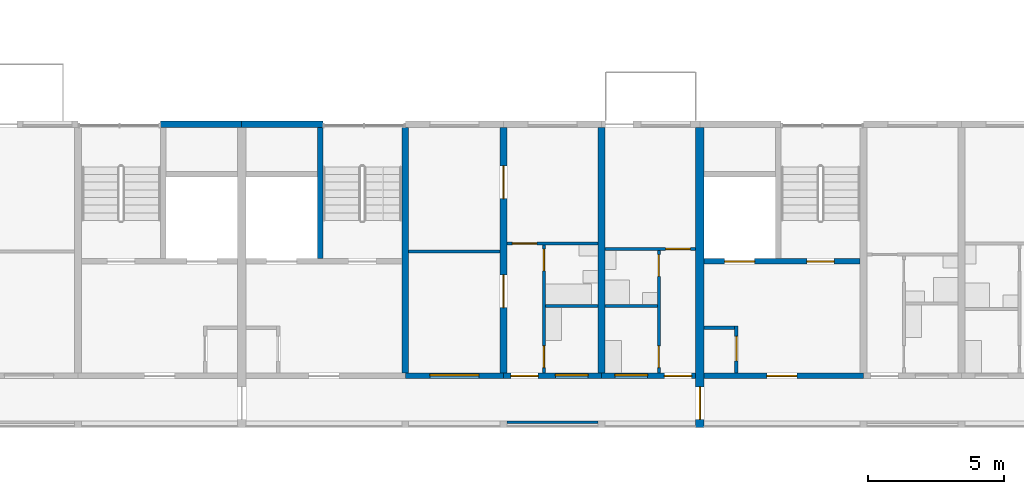
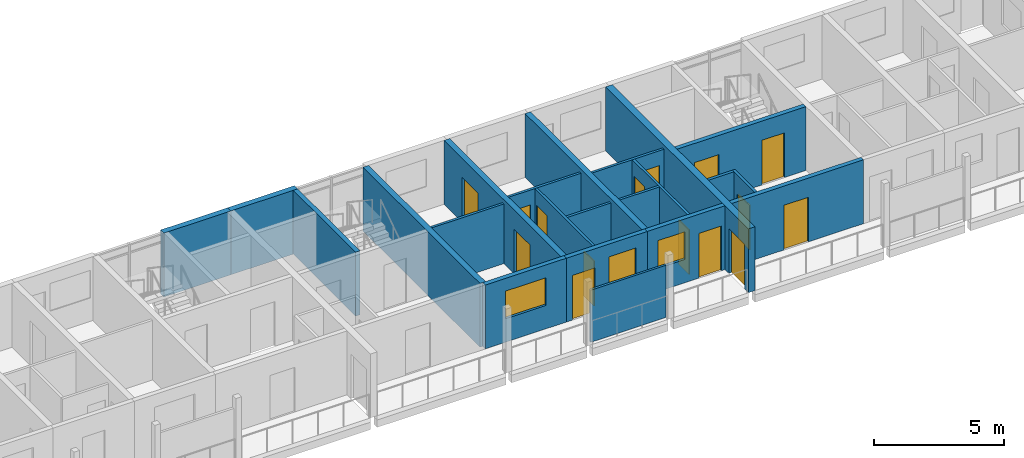
# One storey, part 55 of 100: 22 walls, 15 doors, 3 windows, 18 openings.
"""IFC4 building model written with IfcOpenShell, lengths in metres."""

from ifc_helpers import new_model, si_unit, direction, frame, frame_2d, origin, place, context, subcontext, project, spatial, rectangle, extrude, material, layer, layer_set, type_object, element, fill, save


model = new_model("IFC4")

# Units and contexts
model_context = context("Model", 3, precision=1e-05, world=origin(), true_north=direction((0.0, 1.0)))
body_context = subcontext(model_context, "Body", "Model", "MODEL_VIEW")
ifc_project = project(units=[si_unit("LENGTHUNIT", "METRE"), si_unit("AREAUNIT", "SQUARE_METRE"), si_unit("VOLUMEUNIT", "CUBIC_METRE"), si_unit("PLANEANGLEUNIT", "RADIAN"), si_unit("MASSUNIT", "GRAM", prefix="KILO")], contexts=[model_context])

# Site, building, storey
site_placement = place(None, origin())
site = spatial("IfcSite", under=ifc_project, at=site_placement, CompositionType="ELEMENT")
building_placement = place(site_placement, origin())
building = spatial("IfcBuilding", under=site, at=building_placement, Name="Ridgestep Commons", CompositionType="ELEMENT")
storey_placement = place(building_placement, frame((0.0, 0.0, 9.0)))
storey = spatial("IfcBuildingStorey", under=building, at=storey_placement, Name="L03", CompositionType="ELEMENT", Elevation=9.0)

# Wall
ifc_material_1 = material(Name="Concrete C30/37", Category="concrete")
ifc_layer_1 = layer(ifc_material_1, 0.25)
ifc_layer_set_1 = layer_set([ifc_layer_1], Name="Core cross wall 250")
wall_type_1 = type_object("IfcWallType", Name="Core cross wall 250", PredefinedType="SHEAR", material=ifc_layer_set_1)
wall_1_placement = place(storey_placement, frame((220.0, 13.75, 0.0), z_axis=(0.0, 0.0, 1.0), x_axis=(0.0, 1.0, 0.0)))
element("IfcWall", 1, at=wall_1_placement, inside=storey, type_object=wall_type_1, Name="Cross wall D-03-2200", PredefinedType="SHEAR", context=body_context, shape_type="SweptSolid", body=[
    extrude(rectangle(XDim=9.0, YDim=0.25, at=frame_2d((4.5, 0.0))), origin(), (0.0, 0.0, 1.0), 3.0),
])

# Wall, opening, door
ifc_material_2 = material(Name="Concrete C30/37", Category="concrete")
ifc_layer_2 = layer(ifc_material_2, 0.199951171875)
ifc_layer_set_2 = layer_set([ifc_layer_2], Name="Core south wall 200")
wall_type_2 = type_object("IfcWallType", Name="Core south wall 200", PredefinedType="SHEAR", material=ifc_layer_set_2)
wall_2_placement = place(storey_placement, frame((230.949951171875, 13.64990234375, 0.0), z_axis=(0.0, 0.0, 1.0), x_axis=(1.0, 0.0, 0.0)))
wall_2 = element("IfcWall", 2, at=wall_2_placement, inside=storey, type_object=wall_type_2, Name="Core south wall D6C L03", PredefinedType="SHEAR", context=body_context, shape_type="SweptSolid", body=[
    extrude(rectangle(XDim=5.85009765625, YDim=0.199951171875, at=frame_2d((2.925048828125, 0.0))), origin(), (0.0, 0.0, 1.0), 3.0),
])
opening_1_placement = place(wall_2_placement, frame((2.3125, 0.0, 0.0)))
opening_1 = element("IfcOpeningElement", 3, at=opening_1_placement, cuts=wall_2, Name="Opening D6C/03/1", PredefinedType="OPENING", context=body_context, shape_type="SweptSolid", body=[
    extrude(rectangle(XDim=1.10009765625, YDim=2.10009765625, at=frame_2d((0.550048828125, 1.050048828125))), frame((0.0, 0.10986328125, 0.0), z_axis=(0.0, -1.0, 0.0), x_axis=(1.0, 0.0, 0.0)), (0.0, 0.0, 1.0), 0.219970703125),
])
ifc_material_3 = material(Name="Steel fire door", Category="steel")
door_type_1 = type_object("IfcDoorType", Name="Lobby door 1100 x 2100 FD60", OperationType="NOTDEFINED", PredefinedType="DOOR", material=ifc_material_3)
door_1_placement = place(opening_1_placement, origin())
door_1 = element("IfcDoor", 4, at=door_1_placement, inside=storey, type_object=door_type_1, Name="Lobby door D6C/03/1", OperationType="SINGLE_SWING_LEFT", OverallHeight=2.10009765625, OverallWidth=1.10009765625, PredefinedType="DOOR", context=body_context, shape_type="SweptSolid", body=[
    extrude(rectangle(XDim=1.10009765625, YDim=2.10009765625, at=frame_2d((0.550048828125, 1.050048828125))), frame((0.0, 0.02490234375, 0.0), z_axis=(0.0, -1.0, 0.0), x_axis=(1.0, 0.0, 0.0)), (0.0, 0.0, 1.0), 0.050048828125),
])
fill(opening_1, door_1)

ifc_material_4 = material(Name="Concrete C30/37", Category="concrete")
ifc_layer_3 = layer(ifc_material_4, 0.1201171875)
ifc_layer_set_3 = layer_set([ifc_layer_3], Name="Core wall 120")
wall_type_3 = type_object("IfcWallType", Name="Core wall 120", PredefinedType="SHEAR", material=ifc_layer_set_3)
wall_3_placement = place(storey_placement, frame((232.139892578125, 13.75, 0.0), z_axis=(0.0, 0.0, 1.0), x_axis=(0.0, 1.0, 0.0)))
wall_3 = element("IfcWall", 5, at=wall_3_placement, inside=storey, type_object=wall_type_3, Name="Core riser w wall D6C L03", PredefinedType="SHEAR", context=body_context, shape_type="SweptSolid", body=[
    extrude(rectangle(XDim=1.719970703125, YDim=0.1201171875, at=frame_2d((0.85986328125, 0.0))), origin(), (0.0, 0.0, 1.0), 3.0),
])
opening_2_placement = place(wall_3_placement, frame((0.449951171875, 0.0, 0.0)))
opening_2 = element("IfcOpeningElement", 6, at=opening_2_placement, cuts=wall_3, Name="Opening D6C/03/4", PredefinedType="OPENING", context=body_context, shape_type="SweptSolid", body=[
    extrude(rectangle(XDim=0.89990234375, YDim=2.10009765625, at=frame_2d((0.449951171875, 1.050048828125))), frame((0.0, 0.070068359375, 0.0), z_axis=(0.0, -1.0, 0.0), x_axis=(1.0, 0.0, 0.0)), (0.0, 0.0, 1.0), 0.14013671875),
])
ifc_material_5 = material(Name="Steel fire door", Category="steel")
door_type_2 = type_object("IfcDoorType", Name="Riser door 900 x 2100 FD60", OperationType="NOTDEFINED", PredefinedType="DOOR", material=ifc_material_5)
door_2_placement = place(opening_2_placement, origin())
door_2 = element("IfcDoor", 7, at=door_2_placement, inside=storey, type_object=door_type_2, Name="Riser door D6C/03/4", OperationType="SINGLE_SWING_RIGHT", OverallHeight=2.10009765625, OverallWidth=0.89990234375, PredefinedType="DOOR", context=body_context, shape_type="SweptSolid", body=[
    extrude(rectangle(XDim=0.89990234375, YDim=2.10009765625, at=frame_2d((0.449951171875, 1.050048828125))), frame((0.0, 0.02490234375, 0.0), z_axis=(0.0, -1.0, 0.0), x_axis=(1.0, 0.0, 0.0)), (0.0, 0.0, 1.0), 0.050048828125),
])
fill(opening_2, door_2)

# Walls
wall_4_placement = place(storey_placement, frame((230.949951171875, 15.409912109375, 0.0), z_axis=(0.0, 0.0, 1.0), x_axis=(1.0, 0.0, 0.0)))
element("IfcWall", 8, at=wall_4_placement, inside=storey, type_object=wall_type_3, Name="Core riser n wall D6C L03", PredefinedType="SHEAR", context=body_context, shape_type="SweptSolid", body=[
    extrude(rectangle(XDim=1.130126953125, YDim=0.1201171875, at=frame_2d((0.56494140625, 0.0))), origin(), (0.0, 0.0, 1.0), 3.0),
])
ifc_material_6 = material(Name="Concrete C30/37", Category="concrete")
ifc_layer_4 = layer(ifc_material_6, 0.199951171875)
ifc_layer_set_4 = layer_set([ifc_layer_4], Name="Core wall 200")
wall_type_4 = type_object("IfcWallType", Name="Core wall 200", PredefinedType="SHEAR", material=ifc_layer_set_4)
wall_5_placement = place(storey_placement, frame((216.875, 17.949951171875, 0.0), z_axis=(0.0, 0.0, 1.0), x_axis=(0.0, 1.0, 0.0)))
element("IfcWall", 9, at=wall_5_placement, inside=storey, type_object=wall_type_4, Name="Core stair wall D5C L03", PredefinedType="SHEAR", context=body_context, shape_type="SweptSolid", body=[
    extrude(rectangle(XDim=4.800048828125, YDim=0.199951171875, at=frame_2d((2.39990234375, 0.0))), origin(), (0.0, 0.0, 1.0), 3.0),
])

# Wall, openings, doors
wall_6_placement = place(storey_placement, frame((230.949951171875, 17.85009765625, 0.0), z_axis=(0.0, 0.0, 1.0), x_axis=(1.0, 0.0, 0.0)))
wall_6 = element("IfcWall", 10, at=wall_6_placement, inside=storey, type_object=wall_type_4, Name="Core lobby wall D6C L03", PredefinedType="SHEAR", context=body_context, shape_type="SweptSolid", body=[
    extrude(rectangle(XDim=5.72509765625, YDim=0.199951171875, at=frame_2d((2.862548828125, 0.0))), origin(), (0.0, 0.0, 1.0), 3.0),
])
opening_3_placement = place(wall_6_placement, frame((3.77490234375, 0.0, 0.0)))
opening_3 = element("IfcOpeningElement", 11, at=opening_3_placement, cuts=wall_6, Name="Opening D6C/03/2", PredefinedType="OPENING", context=body_context, shape_type="SweptSolid", body=[
    extrude(rectangle(XDim=1.0, YDim=2.10009765625, at=frame_2d((0.5, 1.050048828125))), frame((0.0, 0.10986328125, 0.0), z_axis=(0.0, -1.0, 0.0), x_axis=(1.0, 0.0, 0.0)), (0.0, 0.0, 1.0), 0.219970703125),
])
opening_4_placement = place(wall_6_placement, frame((0.762451171875, 0.0, 0.0)))
opening_4 = element("IfcOpeningElement", 12, at=opening_4_placement, cuts=wall_6, Name="Opening D6C/03/3", PredefinedType="OPENING", context=body_context, shape_type="SweptSolid", body=[
    extrude(rectangle(XDim=1.10009765625, YDim=2.10009765625, at=frame_2d((0.550048828125, 1.050048828125))), frame((0.0, 0.10986328125, 0.0), z_axis=(0.0, -1.0, 0.0), x_axis=(1.0, 0.0, 0.0)), (0.0, 0.0, 1.0), 0.219970703125),
])
ifc_material_7 = material(Name="Stainless steel", Category="steel")
door_type_3 = type_object("IfcDoorType", Name="Lift landing door 1100 x 2100 FD60", OperationType="DOUBLE_DOOR_SLIDING", PredefinedType="DOOR", material=ifc_material_7)
door_3_placement = place(opening_4_placement, origin())
door_3 = element("IfcDoor", 13, at=door_3_placement, inside=storey, type_object=door_type_3, Name="Landing door LD D6C L03", OperationType="DOUBLE_DOOR_SLIDING", OverallHeight=2.10009765625, OverallWidth=1.10009765625, PredefinedType="DOOR", context=body_context, shape_type="SweptSolid", body=[
    extrude(rectangle(XDim=1.10009765625, YDim=2.10009765625, at=frame_2d((0.550048828125, 1.050048828125))), frame((0.0, 0.02490234375, 0.0), z_axis=(0.0, -1.0, 0.0), x_axis=(1.0, 0.0, 0.0)), (0.0, 0.0, 1.0), 0.050048828125),
])
fill(opening_4, door_3)
ifc_material_8 = material(Name="Steel fire door", Category="steel")
door_type_4 = type_object("IfcDoorType", Name="Stair door 1000 x 2100 FD60", OperationType="NOTDEFINED", PredefinedType="DOOR", material=ifc_material_8)
door_4_placement = place(opening_3_placement, origin())
door_4 = element("IfcDoor", 14, at=door_4_placement, inside=storey, type_object=door_type_4, Name="Stair door D6C/03/2", OperationType="SINGLE_SWING_RIGHT", OverallHeight=2.10009765625, OverallWidth=1.0, PredefinedType="DOOR", context=body_context, shape_type="SweptSolid", body=[
    extrude(rectangle(XDim=1.0, YDim=2.10009765625, at=frame_2d((0.5, 1.050048828125))), frame((0.0, 0.02490234375, 0.0), z_axis=(0.0, -1.0, 0.0), x_axis=(1.0, 0.0, 0.0)), (0.0, 0.0, 1.0), 0.050048828125),
])
fill(opening_3, door_4)

ifc_material_9 = material(Name="Precast concrete C40/50", Category="concrete")
ifc_layer_5 = layer(ifc_material_9, 0.25)
ifc_layer_set_5 = layer_set([ifc_layer_5], Name="Cross wall 250")
wall_type_5 = type_object("IfcWallType", Name="Cross wall 250", PredefinedType="SHEAR", material=ifc_layer_set_5)
wall_7_placement = place(storey_placement, frame((223.60009765625, 13.75, 0.0), z_axis=(0.0, 0.0, 1.0), x_axis=(0.0, 1.0, 0.0)))
wall_7 = element("IfcWall", 15, at=wall_7_placement, inside=storey, type_object=wall_type_5, Name="Cross wall D-03-2236", PredefinedType="SHEAR", context=body_context, shape_type="SweptSolid", body=[
    extrude(rectangle(XDim=9.0, YDim=0.25, at=frame_2d((4.5, 0.0))), origin(), (0.0, 0.0, 1.0), 3.0),
])
opening_5_placement = place(wall_7_placement, frame((2.39990234375, 0.0, 0.0)))
opening_5 = element("IfcOpeningElement", 16, at=opening_5_placement, cuts=wall_7, Name="Opening D5-03b/5", PredefinedType="OPENING", context=body_context, shape_type="SweptSolid", body=[
    extrude(rectangle(XDim=1.199951171875, YDim=2.10009765625, at=frame_2d((0.60009765625, 1.050048828125))), frame((0.0, 0.135009765625, 0.0), z_axis=(0.0, -1.0, 0.0), x_axis=(1.0, 0.0, 0.0)), (0.0, 0.0, 1.0), 0.27001953125),
])
opening_6_placement = place(wall_7_placement, frame((6.39990234375, 0.0, 0.0)))
opening_6 = element("IfcOpeningElement", 17, at=opening_6_placement, cuts=wall_7, Name="Opening D5-03b/6", PredefinedType="OPENING", context=body_context, shape_type="SweptSolid", body=[
    extrude(rectangle(XDim=1.199951171875, YDim=2.10009765625, at=frame_2d((0.60009765625, 1.050048828125))), frame((0.0, 0.135009765625, 0.0), z_axis=(0.0, -1.0, 0.0), x_axis=(1.0, 0.0, 0.0)), (0.0, 0.0, 1.0), 0.27001953125),
])
ifc_material_10 = material(Name="Timber door leaf", Category="wood")
door_type_5 = type_object("IfcDoorType", Name="Double door 1200 x 2100", OperationType="DOUBLE_DOOR_SINGLE_SWING", PredefinedType="DOOR", material=ifc_material_10)
door_5_placement = place(opening_5_placement, origin())
door_5 = element("IfcDoor", 18, at=door_5_placement, inside=storey, type_object=door_type_5, Name="Double door D5-03b/5", OperationType="DOUBLE_DOOR_SINGLE_SWING", OverallHeight=2.10009765625, OverallWidth=1.199951171875, PredefinedType="DOOR", context=body_context, shape_type="SweptSolid", body=[
    extrude(rectangle(XDim=1.199951171875, YDim=2.10009765625, at=frame_2d((0.60009765625, 1.050048828125))), frame((0.0, 0.02490234375, 0.0), z_axis=(0.0, -1.0, 0.0), x_axis=(1.0, 0.0, 0.0)), (0.0, 0.0, 1.0), 0.050048828125),
])
fill(opening_5, door_5)
door_6_placement = place(opening_6_placement, origin())
door_6 = element("IfcDoor", 19, at=door_6_placement, inside=storey, type_object=door_type_5, Name="Double door D5-03b/6", OperationType="DOUBLE_DOOR_SINGLE_SWING", OverallHeight=2.10009765625, OverallWidth=1.199951171875, PredefinedType="DOOR", context=body_context, shape_type="SweptSolid", body=[
    extrude(rectangle(XDim=1.199951171875, YDim=2.10009765625, at=frame_2d((0.60009765625, 1.050048828125))), frame((0.0, 0.02490234375, 0.0), z_axis=(0.0, -1.0, 0.0), x_axis=(1.0, 0.0, 0.0)), (0.0, 0.0, 1.0), 0.050048828125),
])
fill(opening_6, door_6)

# Wall
wall_8_placement = place(storey_placement, frame((227.199951171875, 13.75, 0.0), z_axis=(0.0, 0.0, 1.0), x_axis=(0.0, 1.0, 0.0)))
element("IfcWall", 20, at=wall_8_placement, inside=storey, type_object=wall_type_5, Name="Cross wall D-03-2272", PredefinedType="SHEAR", context=body_context, shape_type="SweptSolid", body=[
    extrude(rectangle(XDim=9.0, YDim=0.25, at=frame_2d((4.5, 0.0))), origin(), (0.0, 0.0, 1.0), 3.0),
])

# Wall, opening, door
ifc_material_11 = material(Name="Precast concrete C40/50", Category="concrete")
ifc_layer_6 = layer(ifc_material_11, 0.300048828125)
ifc_layer_set_6 = layer_set([ifc_layer_6], Name="Division wall 300")
wall_type_6 = type_object("IfcWallType", Name="Division wall 300", PredefinedType="SHEAR", material=ifc_layer_set_6)
wall_9_placement = place(storey_placement, frame((230.800048828125, 11.75, 0.0), z_axis=(0.0, 0.0, 1.0), x_axis=(0.0, 1.0, 0.0)))
wall_9 = element("IfcWall", 21, at=wall_9_placement, inside=storey, type_object=wall_type_6, Name="Cross wall D-03-2308", PredefinedType="SHEAR", context=body_context, shape_type="SweptSolid", body=[
    extrude(rectangle(XDim=11.0, YDim=0.300048828125, at=frame_2d((5.5, 0.0))), origin(), (0.0, 0.0, 1.0), 3.0),
])
opening_7_placement = place(wall_9_placement, frame((0.300048828125, 0.0, 0.0)))
opening_7 = element("IfcOpeningElement", 22, at=opening_7_placement, cuts=wall_9, Name="Opening D/03/G2308", PredefinedType="OPENING", context=body_context, shape_type="SweptSolid", body=[
    extrude(rectangle(XDim=1.199951171875, YDim=2.10009765625, at=frame_2d((0.60009765625, 1.050048828125))), frame((0.0, 0.159912109375, 0.0), z_axis=(0.0, -1.0, 0.0), x_axis=(1.0, 0.0, 0.0)), (0.0, 0.0, 1.0), 0.320068359375),
])
ifc_material_12 = material(Name="Steel fire door", Category="steel")
door_type_6 = type_object("IfcDoorType", Name="Division fire door 1200 x 2100 EI 240", OperationType="DOUBLE_DOOR_SINGLE_SWING", PredefinedType="DOOR", material=ifc_material_12)
door_7_placement = place(opening_7_placement, origin())
door_7 = element("IfcDoor", 23, at=door_7_placement, inside=storey, type_object=door_type_6, Name="Division fire door D/03/G2308", OperationType="DOUBLE_DOOR_SINGLE_SWING", OverallHeight=2.10009765625, OverallWidth=1.199951171875, PredefinedType="DOOR", context=body_context, shape_type="SweptSolid", body=[
    extrude(rectangle(XDim=1.199951171875, YDim=2.10009765625, at=frame_2d((0.60009765625, 1.050048828125))), frame((0.0, 0.02490234375, 0.0), z_axis=(0.0, -1.0, 0.0), x_axis=(1.0, 0.0, 0.0)), (0.0, 0.0, 1.0), 0.050048828125),
])
fill(opening_7, door_7)

# Walls
ifc_material_13 = material(Name="Precast concrete C40/50", Category="concrete")
ifc_layer_7 = layer(ifc_material_13, 0.25)
ifc_layer_set_7 = layer_set([ifc_layer_7], Name="North facade panel 250")
wall_type_7 = type_object("IfcWallType", Name="North facade panel 250", PredefinedType="SOLIDWALL", material=ifc_layer_set_7)
for number, where, z_axis, x_axis, name in (
    (24, (211.02490234375, 22.875, 0.0), (0.0, 0.0, 1.0), (1.0, 0.0, 0.0), "North panel D4C L03"),
    (25, (214.0, 22.875, 0.0), (0.0, 0.0, 1.0), (1.0, 0.0, 0.0), "North panel D5C L03"),
):
    element("IfcWall", number, at=place(storey_placement, frame(where, z_axis=z_axis, x_axis=x_axis)), inside=storey, type_object=wall_type_7, Name=name, PredefinedType="SOLIDWALL", context=body_context, shape_type="SweptSolid", body=[
        extrude(rectangle(XDim=2.97509765625, YDim=0.25, at=frame_2d((1.487548828125, 0.0))), origin(), (0.0, 0.0, 1.0), 3.0),
    ])
ifc_material_14 = material(Name="Common brick 110 mm", Category="masonry")
ifc_layer_8 = layer(ifc_material_14, 0.110107421875)
ifc_layer_set_8 = layer_set([ifc_layer_8], Name="Partition 110")
wall_type_8 = type_object("IfcWallType", Name="Partition 110", PredefinedType="PARTITIONING", material=ifc_layer_set_8)
wall_10_placement = place(storey_placement, frame((227.324951171875, 16.205078125, 0.0), z_axis=(0.0, 0.0, 1.0), x_axis=(1.0, 0.0, 0.0)))
element("IfcWall", 26, at=wall_10_placement, inside=storey, type_object=wall_type_8, Name="Partition D5-03a", PredefinedType="PARTITIONING", context=body_context, shape_type="SweptSolid", body=[
    extrude(rectangle(XDim=1.9150390625, YDim=0.110107421875, at=frame_2d((0.95751953125, 0.0))), origin(), (0.0, 0.0, 1.0), 2.800048828125),
])

# Wall, openings, doors
wall_11_placement = place(storey_placement, frame((229.294921875, 13.75, 0.0), z_axis=(0.0, 0.0, 1.0), x_axis=(0.0, 1.0, 0.0)))
wall_11 = element("IfcWall", 27, at=wall_11_placement, inside=storey, type_object=wall_type_8, Name="Partition D5-03a", PredefinedType="PARTITIONING", context=body_context, shape_type="SweptSolid", body=[
    extrude(rectangle(XDim=4.5, YDim=0.110107421875, at=frame_2d((2.25, 0.0))), origin(), (0.0, 0.0, 1.0), 2.800048828125),
])
opening_8_placement = place(wall_11_placement, frame((0.199951171875, 0.0, 0.0)))
opening_8 = element("IfcOpeningElement", 28, at=opening_8_placement, cuts=wall_11, Name="Opening D5-03a/2", PredefinedType="OPENING", context=body_context, shape_type="SweptSolid", body=[
    extrude(rectangle(XDim=0.800048828125, YDim=2.10009765625, at=frame_2d((0.39990234375, 1.050048828125))), frame((0.0, 0.06494140625, 0.0), z_axis=(0.0, -1.0, 0.0), x_axis=(1.0, 0.0, 0.0)), (0.0, 0.0, 1.0), 0.130126953125),
])
opening_9_placement = place(wall_11_placement, frame((3.550048828125, 0.0, 0.0)))
opening_9 = element("IfcOpeningElement", 29, at=opening_9_placement, cuts=wall_11, Name="Opening D5-03a/3", PredefinedType="OPENING", context=body_context, shape_type="SweptSolid", body=[
    extrude(rectangle(XDim=0.800048828125, YDim=2.10009765625, at=frame_2d((0.39990234375, 1.050048828125))), frame((0.0, 0.06494140625, 0.0), z_axis=(0.0, -1.0, 0.0), x_axis=(1.0, 0.0, 0.0)), (0.0, 0.0, 1.0), 0.130126953125),
])
ifc_material_15 = material(Name="Timber door leaf", Category="wood")
door_type_7 = type_object("IfcDoorType", Name="Internal door 800 x 2100", OperationType="NOTDEFINED", PredefinedType="DOOR", material=ifc_material_15)
door_8_placement = place(opening_8_placement, origin())
door_8 = element("IfcDoor", 30, at=door_8_placement, inside=storey, type_object=door_type_7, Name="Internal door D5-03a/2", OperationType="SINGLE_SWING_LEFT", OverallHeight=2.10009765625, OverallWidth=0.800048828125, PredefinedType="DOOR", context=body_context, shape_type="SweptSolid", body=[
    extrude(rectangle(XDim=0.800048828125, YDim=2.10009765625, at=frame_2d((0.39990234375, 1.050048828125))), frame((0.0, 0.02490234375, 0.0), z_axis=(0.0, -1.0, 0.0), x_axis=(1.0, 0.0, 0.0)), (0.0, 0.0, 1.0), 0.050048828125),
])
fill(opening_8, door_8)
door_9_placement = place(opening_9_placement, origin())
door_9 = element("IfcDoor", 31, at=door_9_placement, inside=storey, type_object=door_type_7, Name="Internal door D5-03a/3", OperationType="SINGLE_SWING_RIGHT", OverallHeight=2.10009765625, OverallWidth=0.800048828125, PredefinedType="DOOR", context=body_context, shape_type="SweptSolid", body=[
    extrude(rectangle(XDim=0.800048828125, YDim=2.10009765625, at=frame_2d((0.39990234375, 1.050048828125))), frame((0.0, 0.02490234375, 0.0), z_axis=(0.0, -1.0, 0.0), x_axis=(1.0, 0.0, 0.0)), (0.0, 0.0, 1.0), 0.050048828125),
])
fill(opening_9, door_9)

# Wall, opening, door
wall_12_placement = place(storey_placement, frame((227.324951171875, 18.304931640625, 0.0), z_axis=(0.0, 0.0, 1.0), x_axis=(1.0, 0.0, 0.0)))
wall_12 = element("IfcWall", 32, at=wall_12_placement, inside=storey, type_object=wall_type_8, Name="Partition D5-03a", PredefinedType="PARTITIONING", context=body_context, shape_type="SweptSolid", body=[
    extrude(rectangle(XDim=3.324951171875, YDim=0.110107421875, at=frame_2d((1.66259765625, 0.0))), origin(), (0.0, 0.0, 1.0), 2.800048828125),
])
opening_10_placement = place(wall_12_placement, frame((2.22509765625, 0.0, 0.0)))
opening_10 = element("IfcOpeningElement", 33, at=opening_10_placement, cuts=wall_12, Name="Opening D5-03a/4", PredefinedType="OPENING", context=body_context, shape_type="SweptSolid", body=[
    extrude(rectangle(XDim=0.89990234375, YDim=2.10009765625, at=frame_2d((0.449951171875, 1.050048828125))), frame((0.0, 0.06494140625, 0.0), z_axis=(0.0, -1.0, 0.0), x_axis=(1.0, 0.0, 0.0)), (0.0, 0.0, 1.0), 0.130126953125),
])
ifc_material_16 = material(Name="Timber door leaf", Category="wood")
door_type_8 = type_object("IfcDoorType", Name="Internal door 900 x 2100", OperationType="NOTDEFINED", PredefinedType="DOOR", material=ifc_material_16)
door_10_placement = place(opening_10_placement, origin())
door_10 = element("IfcDoor", 34, at=door_10_placement, inside=storey, type_object=door_type_8, Name="Internal door D5-03a/4", OperationType="SINGLE_SWING_LEFT", OverallHeight=2.10009765625, OverallWidth=0.89990234375, PredefinedType="DOOR", context=body_context, shape_type="SweptSolid", body=[
    extrude(rectangle(XDim=0.89990234375, YDim=2.10009765625, at=frame_2d((0.449951171875, 1.050048828125))), frame((0.0, 0.02490234375, 0.0), z_axis=(0.0, -1.0, 0.0), x_axis=(1.0, 0.0, 0.0)), (0.0, 0.0, 1.0), 0.050048828125),
])
fill(opening_10, door_10)

# Wall, openings, doors
wall_13_placement = place(storey_placement, frame((225.080078125, 13.75, 0.0), z_axis=(0.0, 0.0, 1.0), x_axis=(0.0, 1.0, 0.0)))
wall_13 = element("IfcWall", 35, at=wall_13_placement, inside=storey, type_object=wall_type_8, Name="Partition D5-03b", PredefinedType="PARTITIONING", context=body_context, shape_type="SweptSolid", body=[
    extrude(rectangle(XDim=4.699951171875, YDim=0.110107421875, at=frame_2d((2.35009765625, 0.0))), origin(), (0.0, 0.0, 1.0), 2.800048828125),
])
opening_11_placement = place(wall_13_placement, frame((0.199951171875, 0.0, 0.0)))
opening_11 = element("IfcOpeningElement", 36, at=opening_11_placement, cuts=wall_13, Name="Opening D5-03b/2", PredefinedType="OPENING", context=body_context, shape_type="SweptSolid", body=[
    extrude(rectangle(XDim=0.800048828125, YDim=2.10009765625, at=frame_2d((0.39990234375, 1.050048828125))), frame((0.0, 0.06494140625, 0.0), z_axis=(0.0, -1.0, 0.0), x_axis=(1.0, 0.0, 0.0)), (0.0, 0.0, 1.0), 0.130126953125),
])
opening_12_placement = place(wall_13_placement, frame((3.75, 0.0, 0.0)))
opening_12 = element("IfcOpeningElement", 37, at=opening_12_placement, cuts=wall_13, Name="Opening D5-03b/3", PredefinedType="OPENING", context=body_context, shape_type="SweptSolid", body=[
    extrude(rectangle(XDim=0.800048828125, YDim=2.10009765625, at=frame_2d((0.39990234375, 1.050048828125))), frame((0.0, 0.06494140625, 0.0), z_axis=(0.0, -1.0, 0.0), x_axis=(1.0, 0.0, 0.0)), (0.0, 0.0, 1.0), 0.130126953125),
])
door_11_placement = place(opening_11_placement, origin())
door_11 = element("IfcDoor", 38, at=door_11_placement, inside=storey, type_object=door_type_7, Name="Internal door D5-03b/2", OperationType="SINGLE_SWING_RIGHT", OverallHeight=2.10009765625, OverallWidth=0.800048828125, PredefinedType="DOOR", context=body_context, shape_type="SweptSolid", body=[
    extrude(rectangle(XDim=0.800048828125, YDim=2.10009765625, at=frame_2d((0.39990234375, 1.050048828125))), frame((0.0, 0.02490234375, 0.0), z_axis=(0.0, -1.0, 0.0), x_axis=(1.0, 0.0, 0.0)), (0.0, 0.0, 1.0), 0.050048828125),
])
fill(opening_11, door_11)
door_12_placement = place(opening_12_placement, origin())
door_12 = element("IfcDoor", 39, at=door_12_placement, inside=storey, type_object=door_type_7, Name="Internal door D5-03b/3", OperationType="SINGLE_SWING_LEFT", OverallHeight=2.10009765625, OverallWidth=0.800048828125, PredefinedType="DOOR", context=body_context, shape_type="SweptSolid", body=[
    extrude(rectangle(XDim=0.800048828125, YDim=2.10009765625, at=frame_2d((0.39990234375, 1.050048828125))), frame((0.0, 0.02490234375, 0.0), z_axis=(0.0, -1.0, 0.0), x_axis=(1.0, 0.0, 0.0)), (0.0, 0.0, 1.0), 0.050048828125),
])
fill(opening_12, door_12)

# Wall
wall_14_placement = place(storey_placement, frame((225.135009765625, 16.205078125, 0.0), z_axis=(0.0, 0.0, 1.0), x_axis=(1.0, 0.0, 0.0)))
element("IfcWall", 40, at=wall_14_placement, inside=storey, type_object=wall_type_8, Name="Partition D5-03b", PredefinedType="PARTITIONING", context=body_context, shape_type="SweptSolid", body=[
    extrude(rectangle(XDim=1.93994140625, YDim=0.110107421875, at=frame_2d((0.969970703125, 0.0))), origin(), (0.0, 0.0, 1.0), 2.800048828125),
])

# Wall, opening, door
wall_15_placement = place(storey_placement, frame((223.72509765625, 18.5048828125, 0.0), z_axis=(0.0, 0.0, 1.0), x_axis=(1.0, 0.0, 0.0)))
wall_15 = element("IfcWall", 41, at=wall_15_placement, inside=storey, type_object=wall_type_8, Name="Partition D5-03b", PredefinedType="PARTITIONING", context=body_context, shape_type="SweptSolid", body=[
    extrude(rectangle(XDim=3.349853515625, YDim=0.110107421875, at=frame_2d((1.6748046875, 0.0))), origin(), (0.0, 0.0, 1.0), 2.800048828125),
])
opening_13_placement = place(wall_15_placement, frame((0.199951171875, 0.0, 0.0)))
opening_13 = element("IfcOpeningElement", 42, at=opening_13_placement, cuts=wall_15, Name="Opening D5-03b/4", PredefinedType="OPENING", context=body_context, shape_type="SweptSolid", body=[
    extrude(rectangle(XDim=0.89990234375, YDim=2.10009765625, at=frame_2d((0.449951171875, 1.050048828125))), frame((0.0, 0.06494140625, 0.0), z_axis=(0.0, -1.0, 0.0), x_axis=(1.0, 0.0, 0.0)), (0.0, 0.0, 1.0), 0.130126953125),
])
door_13_placement = place(opening_13_placement, origin())
door_13 = element("IfcDoor", 43, at=door_13_placement, inside=storey, type_object=door_type_8, Name="Internal door D5-03b/4", OperationType="SINGLE_SWING_LEFT", OverallHeight=2.10009765625, OverallWidth=0.89990234375, PredefinedType="DOOR", context=body_context, shape_type="SweptSolid", body=[
    extrude(rectangle(XDim=0.89990234375, YDim=2.10009765625, at=frame_2d((0.449951171875, 1.050048828125))), frame((0.0, 0.02490234375, 0.0), z_axis=(0.0, -1.0, 0.0), x_axis=(1.0, 0.0, 0.0)), (0.0, 0.0, 1.0), 0.050048828125),
])
fill(opening_13, door_13)

# Walls
wall_16_placement = place(storey_placement, frame((220.125, 18.205078125, 0.0), z_axis=(0.0, 0.0, 1.0), x_axis=(1.0, 0.0, 0.0)))
element("IfcWall", 44, at=wall_16_placement, inside=storey, type_object=wall_type_8, Name="Partition D5-03b", PredefinedType="PARTITIONING", context=body_context, shape_type="SweptSolid", body=[
    extrude(rectangle(XDim=3.35009765625, YDim=0.110107421875, at=frame_2d((1.675048828125, 0.0))), origin(), (0.0, 0.0, 1.0), 2.800048828125),
])
ifc_material_17 = material(Name="Precast concrete C30/37", Category="concrete")
ifc_layer_9 = layer(ifc_material_17, 0.10009765625)
ifc_layer_set_9 = layer_set([ifc_layer_9], Name="Perforated gallery screen 3350 x 2450 x 100")
wall_type_9 = type_object("IfcWallType", Name="Perforated gallery screen 3350 x 2450 x 100", PredefinedType="SOLIDWALL", material=ifc_layer_set_9)
wall_17_placement = place(storey_placement, frame((223.72509765625, 11.949951171875, 0.0), z_axis=(0.0, 0.0, 1.0), x_axis=(1.0, 0.0, 0.0)))
element("IfcWall", 45, at=wall_17_placement, inside=storey, type_object=wall_type_9, Name="Gallery screen D5T2 03", PredefinedType="SOLIDWALL", context=body_context, shape_type="SweptSolid", body=[
    extrude(rectangle(XDim=3.349853515625, YDim=0.10009765625, at=frame_2d((1.6748046875, 0.0))), origin(), (0.0, 0.0, 1.0), 2.449951171875),
])

# Wall, opening, window
ifc_material_18 = material(Name="Precast concrete C40/50", Category="concrete")
ifc_layer_10 = layer(ifc_material_18, 0.199951171875)
ifc_layer_set_10 = layer_set([ifc_layer_10], Name="South facade panel 200")
wall_type_10 = type_object("IfcWallType", Name="South facade panel 200", PredefinedType="SOLIDWALL", material=ifc_layer_set_10)
wall_18_placement = place(storey_placement, frame((220.0, 13.64990234375, 0.0), z_axis=(0.0, 0.0, 1.0), x_axis=(1.0, 0.0, 0.0)))
wall_18 = element("IfcWall", 46, at=wall_18_placement, inside=storey, type_object=wall_type_10, Name="South panel D5T3 L03", PredefinedType="SOLIDWALL", context=body_context, shape_type="SweptSolid", body=[
    extrude(rectangle(XDim=3.60009765625, YDim=0.199951171875, at=frame_2d((1.800048828125, 0.0))), origin(), (0.0, 0.0, 1.0), 3.0),
])
opening_14_placement = place(wall_18_placement, frame((0.89990234375, 0.0, 1.10009765625)))
opening_14 = element("IfcOpeningElement", 47, at=opening_14_placement, cuts=wall_18, Name="Opening W18", PredefinedType="OPENING", context=body_context, shape_type="SweptSolid", body=[
    extrude(rectangle(XDim=1.800048828125, YDim=1.300048828125, at=frame_2d((0.89990234375, 0.64990234375))), frame((0.0, 0.10986328125, 0.0), z_axis=(0.0, -1.0, 0.0), x_axis=(1.0, 0.0, 0.0)), (0.0, 0.0, 1.0), 0.219970703125),
])
ifc_material_19 = material(Name="Aluminium 6063-T6 and glass", Category="aluminium")
window_type_1 = type_object("IfcWindowType", Name="Flat window 1800 x 1300", PartitioningType="DOUBLE_PANEL_VERTICAL", PredefinedType="WINDOW", material=ifc_material_19)
window_1_placement = place(opening_14_placement, origin())
window_1 = element("IfcWindow", 48, at=window_1_placement, inside=storey, type_object=window_type_1, Name="Window D5-03b 1", OverallHeight=1.300048828125, OverallWidth=1.800048828125, PartitioningType="SINGLE_PANEL", PredefinedType="WINDOW", context=body_context, shape_type="SweptSolid", body=[
    extrude(rectangle(XDim=1.800048828125, YDim=1.300048828125, at=frame_2d((0.89990234375, 0.64990234375))), frame((0.0, 0.06005859375, 0.0), z_axis=(0.0, -1.0, 0.0), x_axis=(1.0, 0.0, 0.0)), (0.0, 0.0, 1.0), 0.06005859375),
])
fill(opening_14, window_1)

# Wall, openings, door, window
wall_19_placement = place(storey_placement, frame((223.60009765625, 13.64990234375, 0.0), z_axis=(0.0, 0.0, 1.0), x_axis=(1.0, 0.0, 0.0)))
wall_19 = element("IfcWall", 49, at=wall_19_placement, inside=storey, type_object=wall_type_10, Name="South panel D5T2 L03", PredefinedType="SOLIDWALL", context=body_context, shape_type="SweptSolid", body=[
    extrude(rectangle(XDim=3.599853515625, YDim=0.199951171875, at=frame_2d((1.7998046875, 0.0))), origin(), (0.0, 0.0, 1.0), 3.0),
])
opening_15_placement = place(wall_19_placement, frame((1.905029296875, 0.0, 1.10009765625)))
opening_15 = element("IfcOpeningElement", 50, at=opening_15_placement, cuts=wall_19, Name="Opening W08", PredefinedType="OPENING", context=body_context, shape_type="SweptSolid", body=[
    extrude(rectangle(XDim=1.199951171875, YDim=1.300048828125, at=frame_2d((0.60009765625, 0.64990234375))), frame((0.0, 0.10986328125, 0.0), z_axis=(0.0, -1.0, 0.0), x_axis=(1.0, 0.0, 0.0)), (0.0, 0.0, 1.0), 0.219970703125),
])
opening_16_placement = place(wall_19_placement, frame((0.27490234375, 0.0, 0.0)))
opening_16 = element("IfcOpeningElement", 51, at=opening_16_placement, cuts=wall_19, Name="Opening D5-03b/1", PredefinedType="OPENING", context=body_context, shape_type="SweptSolid", body=[
    extrude(rectangle(XDim=1.0, YDim=2.10009765625, at=frame_2d((0.5, 1.050048828125))), frame((0.0, 0.10986328125, 0.0), z_axis=(0.0, -1.0, 0.0), x_axis=(1.0, 0.0, 0.0)), (0.0, 0.0, 1.0), 0.219970703125),
])
ifc_material_20 = material(Name="Timber door leaf", Category="wood")
door_type_9 = type_object("IfcDoorType", Name="Flat entrance door 1000 x 2100 FD30S", OperationType="NOTDEFINED", PredefinedType="DOOR", material=ifc_material_20)
door_14_placement = place(opening_16_placement, origin())
door_14 = element("IfcDoor", 52, at=door_14_placement, inside=storey, type_object=door_type_9, Name="Flat entrance door D5-03b/1", OperationType="SINGLE_SWING_LEFT", OverallHeight=2.10009765625, OverallWidth=1.0, PredefinedType="DOOR", context=body_context, shape_type="SweptSolid", body=[
    extrude(rectangle(XDim=1.0, YDim=2.10009765625, at=frame_2d((0.5, 1.050048828125))), frame((0.0, 0.02490234375, 0.0), z_axis=(0.0, -1.0, 0.0), x_axis=(1.0, 0.0, 0.0)), (0.0, 0.0, 1.0), 0.050048828125),
])
fill(opening_16, door_14)
ifc_material_21 = material(Name="Aluminium 6063-T6 and glass", Category="aluminium")
window_type_2 = type_object("IfcWindowType", Name="Flat window 1200 x 1300", PartitioningType="SINGLE_PANEL", PredefinedType="WINDOW", material=ifc_material_21)
window_2_placement = place(opening_15_placement, origin())
window_2 = element("IfcWindow", 53, at=window_2_placement, inside=storey, type_object=window_type_2, Name="Window D5-03b 3", OverallHeight=1.300048828125, OverallWidth=1.199951171875, PartitioningType="SINGLE_PANEL", PredefinedType="WINDOW", context=body_context, shape_type="SweptSolid", body=[
    extrude(rectangle(XDim=1.199951171875, YDim=1.300048828125, at=frame_2d((0.60009765625, 0.64990234375))), frame((0.0, 0.06005859375, 0.0), z_axis=(0.0, -1.0, 0.0), x_axis=(1.0, 0.0, 0.0)), (0.0, 0.0, 1.0), 0.06005859375),
])
fill(opening_15, window_2)

wall_20_placement = place(storey_placement, frame((227.199951171875, 13.64990234375, 0.0), z_axis=(0.0, 0.0, 1.0), x_axis=(1.0, 0.0, 0.0)))
wall_20 = element("IfcWall", 54, at=wall_20_placement, inside=storey, type_object=wall_type_10, Name="South panel D5T1 L03", PredefinedType="SOLIDWALL", context=body_context, shape_type="SweptSolid", body=[
    extrude(rectangle(XDim=3.449951171875, YDim=0.199951171875, at=frame_2d((1.72509765625, 0.0))), origin(), (0.0, 0.0, 1.0), 3.0),
])
opening_17_placement = place(wall_20_placement, frame((0.482421875, 0.0, 1.10009765625)))
opening_17 = element("IfcOpeningElement", 55, at=opening_17_placement, cuts=wall_20, Name="Opening W08", PredefinedType="OPENING", context=body_context, shape_type="SweptSolid", body=[
    extrude(rectangle(XDim=1.199951171875, YDim=1.300048828125, at=frame_2d((0.60009765625, 0.64990234375))), frame((0.0, 0.10986328125, 0.0), z_axis=(0.0, -1.0, 0.0), x_axis=(1.0, 0.0, 0.0)), (0.0, 0.0, 1.0), 0.219970703125),
])
opening_18_placement = place(wall_20_placement, frame((2.300048828125, 0.0, 0.0)))
opening_18 = element("IfcOpeningElement", 56, at=opening_18_placement, cuts=wall_20, Name="Opening D5-03a/1", PredefinedType="OPENING", context=body_context, shape_type="SweptSolid", body=[
    extrude(rectangle(XDim=1.0, YDim=2.10009765625, at=frame_2d((0.5, 1.050048828125))), frame((0.0, 0.10986328125, 0.0), z_axis=(0.0, -1.0, 0.0), x_axis=(1.0, 0.0, 0.0)), (0.0, 0.0, 1.0), 0.219970703125),
])
door_15_placement = place(opening_18_placement, origin())
door_15 = element("IfcDoor", 57, at=door_15_placement, inside=storey, type_object=door_type_9, Name="Flat entrance door D5-03a/1", OperationType="SINGLE_SWING_RIGHT", OverallHeight=2.10009765625, OverallWidth=1.0, PredefinedType="DOOR", context=body_context, shape_type="SweptSolid", body=[
    extrude(rectangle(XDim=1.0, YDim=2.10009765625, at=frame_2d((0.5, 1.050048828125))), frame((0.0, 0.02490234375, 0.0), z_axis=(0.0, -1.0, 0.0), x_axis=(1.0, 0.0, 0.0)), (0.0, 0.0, 1.0), 0.050048828125),
])
fill(opening_18, door_15)
window_3_placement = place(opening_17_placement, origin())
window_3 = element("IfcWindow", 58, at=window_3_placement, inside=storey, type_object=window_type_2, Name="Window D5-03a 1", OverallHeight=1.300048828125, OverallWidth=1.199951171875, PartitioningType="SINGLE_PANEL", PredefinedType="WINDOW", context=body_context, shape_type="SweptSolid", body=[
    extrude(rectangle(XDim=1.199951171875, YDim=1.300048828125, at=frame_2d((0.60009765625, 0.64990234375))), frame((0.0, 0.06005859375, 0.0), z_axis=(0.0, -1.0, 0.0), x_axis=(1.0, 0.0, 0.0)), (0.0, 0.0, 1.0), 0.06005859375),
])
fill(opening_17, window_3)

save(model, "model.ifc")
